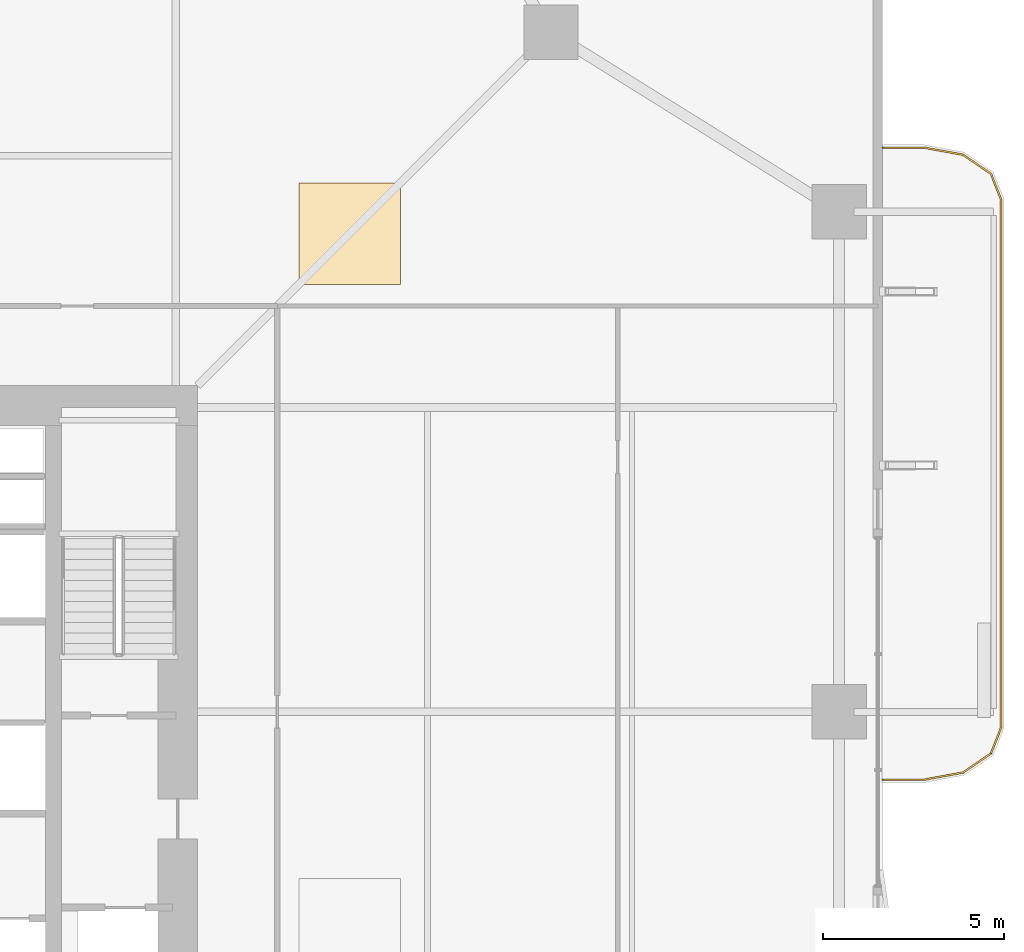
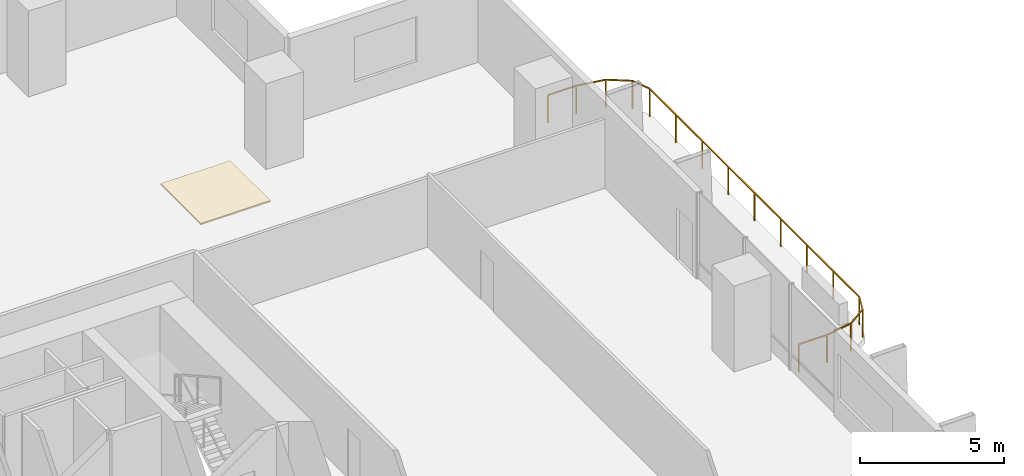
# One storey, part 24 of 24: 1 covering, 1 railing.
"""IFC4 building model written with IfcOpenShell, lengths in metres."""

from ifc_helpers import new_model, si_unit, direction, frame, origin, origin_2d, place, context, subcontext, project, spatial, polyline, rectangle, outline, extrude, material, layer, layer_set, type_object, element, save


model = new_model("IFC4")

# Units and contexts
model_context = context("Model", 3, precision=1e-05, world=origin(), true_north=direction((0.0, 1.0)))
body_context = subcontext(model_context, "Body", "Model", "MODEL_VIEW")
ifc_project = project(units=[si_unit("LENGTHUNIT", "METRE"), si_unit("AREAUNIT", "SQUARE_METRE"), si_unit("VOLUMEUNIT", "CUBIC_METRE"), si_unit("PLANEANGLEUNIT", "RADIAN"), si_unit("MASSUNIT", "GRAM", prefix="KILO")], contexts=[model_context])

# Site, building, storey
site_placement = place(None, origin())
site = spatial("IfcSite", under=ifc_project, at=site_placement, CompositionType="ELEMENT")
building_placement = place(site_placement, origin())
building = spatial("IfcBuilding", under=site, at=building_placement, Name="Belovzor Exchange Tower", CompositionType="ELEMENT")
storey_placement = place(building_placement, frame((0.0, 0.0, 80.699951171875)))
storey = spatial("IfcBuildingStorey", under=building, at=storey_placement, Name="L19", CompositionType="ELEMENT", Elevation=80.699951171875)

# Railing
ifc_material_1 = material(Name="Stainless Steel and Laminated Safety Glass", Category="steel")
railing_type = type_object("IfcRailingType", Name="Laminated Glass & Stainless Steel Balcony Balustrade 1200", PredefinedType="BALUSTRADE", material=ifc_material_1)
railing_placement = place(storey_placement, frame((56.7099609375, 26.929931640625, 0.0)))
element("IfcRailing", 1, at=railing_placement, inside=storey, type_object=railing_type, Name="GR-1 Balcony Balustrade L19 East", PredefinedType="BALUSTRADE", context=body_context, shape_type="SweptSolid", body=[
    extrude(rectangle(XDim=0.048095703125, YDim=0.048095703125, at=origin_2d()), frame((0.0, 0.0, 1.17578125), z_axis=(1.0, 0.0, 0.0), x_axis=(0.0, 1.0, 0.0)), (0.0, 0.0, 1.0), 1.133056640625),
    extrude(rectangle(XDim=0.048095703125, YDim=0.048095703125, at=origin_2d()), frame((1.133056640625, 0.0, 1.17578125), z_axis=(0.983644145941, 0.180122719713, 0.0), x_axis=(-0.180122719713, 0.983644145941, 0.0)), (0.0, 0.0, 1.0), 1.09375),
    extrude(rectangle(XDim=0.048095703125, YDim=0.048095703125, at=origin_2d()), frame((2.208984375, 0.197021484375, 1.17578125), z_axis=(0.826493025367, 0.56294695933, 0.0), x_axis=(-0.56294695933, 0.826493025367, 0.0)), (0.0, 0.0, 1.0), 0.932861328125),
    extrude(rectangle(XDim=0.048095703125, YDim=0.048095703125, at=origin_2d()), frame((2.97998046875, 0.72216796875, 1.17578125), z_axis=(0.365612923861, 0.930766990125, 0.0), x_axis=(-0.930766990125, 0.365612923861, 0.0)), (0.0, 0.0, 1.0), 0.765869140625),
    extrude(rectangle(XDim=0.048095703125, YDim=0.048095703125, at=origin_2d()), frame((3.260009765625, 1.43505859375, 1.17578125), z_axis=(0.0, 1.0, 0.0), x_axis=(-1.0, 0.0, 0.0)), (0.0, 0.0, 1.0), 14.570068359375),
    extrude(rectangle(XDim=0.048095703125, YDim=0.048095703125, at=origin_2d()), frame((3.260009765625, 16.005126953125, 1.17578125), z_axis=(-0.365612923861, 0.930766990125, 0.0), x_axis=(-0.930766990125, -0.365612923861, 0.0)), (0.0, 0.0, 1.0), 0.765869140625),
    extrude(rectangle(XDim=0.048095703125, YDim=0.048095703125, at=origin_2d()), frame((2.97998046875, 16.718017578125, 1.17578125), z_axis=(-0.826493025367, 0.56294695933, 0.0), x_axis=(-0.56294695933, -0.826493025367, 0.0)), (0.0, 0.0, 1.0), 0.932861328125),
    extrude(rectangle(XDim=0.048095703125, YDim=0.048095703125, at=origin_2d()), frame((2.208984375, 17.2431640625, 1.17578125), z_axis=(-0.983644145941, 0.180122719713, 0.0), x_axis=(-0.180122719713, -0.983644145941, 0.0)), (0.0, 0.0, 1.0), 1.09375),
    extrude(rectangle(XDim=0.048095703125, YDim=0.048095703125, at=origin_2d()), frame((1.133056640625, 17.440185546875, 1.17578125), z_axis=(-1.0, 0.0, 0.0), x_axis=(0.0, -1.0, 0.0)), (0.0, 0.0, 1.0), 1.133056640625),
    extrude(rectangle(XDim=0.0419921875, YDim=0.0419921875, at=origin_2d()), origin(), (0.0, 0.0, 1.0), 1.15185546875),
    extrude(rectangle(XDim=0.0419921875, YDim=0.0419921875, at=origin_2d()), frame((1.133056640625, 0.0, 0.0)), (0.0, 0.0, 1.0), 1.15185546875),
    extrude(rectangle(XDim=0.0419921875, YDim=0.0419921875, at=origin_2d()), frame((2.208984375, 0.197021484375, 0.0)), (0.0, 0.0, 1.0), 1.15185546875),
    extrude(rectangle(XDim=0.0419921875, YDim=0.0419921875, at=origin_2d()), frame((2.97998046875, 0.72216796875, 0.0)), (0.0, 0.0, 1.0), 1.15185546875),
    extrude(rectangle(XDim=0.0419921875, YDim=0.0419921875, at=origin_2d()), frame((3.260009765625, 1.43505859375, 0.0)), (0.0, 0.0, 1.0), 1.15185546875),
    extrude(rectangle(XDim=0.0419921875, YDim=0.0419921875, at=origin_2d()), frame((3.260009765625, 3.25634765625, 0.0)), (0.0, 0.0, 1.0), 1.15185546875),
    extrude(rectangle(XDim=0.0419921875, YDim=0.0419921875, at=origin_2d()), frame((3.260009765625, 5.07763671875, 0.0)), (0.0, 0.0, 1.0), 1.15185546875),
    extrude(rectangle(XDim=0.0419921875, YDim=0.0419921875, at=origin_2d()), frame((3.260009765625, 6.89892578125, 0.0)), (0.0, 0.0, 1.0), 1.15185546875),
    extrude(rectangle(XDim=0.0419921875, YDim=0.0419921875, at=origin_2d()), frame((3.260009765625, 8.72021484375, 0.0)), (0.0, 0.0, 1.0), 1.15185546875),
    extrude(rectangle(XDim=0.0419921875, YDim=0.0419921875, at=origin_2d()), frame((3.260009765625, 10.541259765625, 0.0)), (0.0, 0.0, 1.0), 1.15185546875),
    extrude(rectangle(XDim=0.0419921875, YDim=0.0419921875, at=origin_2d()), frame((3.260009765625, 12.362548828125, 0.0)), (0.0, 0.0, 1.0), 1.15185546875),
    extrude(rectangle(XDim=0.0419921875, YDim=0.0419921875, at=origin_2d()), frame((3.260009765625, 14.183837890625, 0.0)), (0.0, 0.0, 1.0), 1.15185546875),
    extrude(rectangle(XDim=0.0419921875, YDim=0.0419921875, at=origin_2d()), frame((3.260009765625, 16.005126953125, 0.0)), (0.0, 0.0, 1.0), 1.15185546875),
    extrude(rectangle(XDim=0.0419921875, YDim=0.0419921875, at=origin_2d()), frame((2.97998046875, 16.718017578125, 0.0)), (0.0, 0.0, 1.0), 1.15185546875),
    extrude(rectangle(XDim=0.0419921875, YDim=0.0419921875, at=origin_2d()), frame((2.208984375, 17.2431640625, 0.0)), (0.0, 0.0, 1.0), 1.15185546875),
    extrude(rectangle(XDim=0.0419921875, YDim=0.0419921875, at=origin_2d()), frame((1.133056640625, 17.440185546875, 0.0)), (0.0, 0.0, 1.0), 1.15185546875),
    extrude(rectangle(XDim=0.0419921875, YDim=0.0419921875, at=origin_2d()), frame((0.0, 17.440185546875, 0.0)), (0.0, 0.0, 1.0), 1.15185546875),
])

# Covering
ifc_material_2 = material(Name="Perforated Powder-Coated Aluminium", Category="aluminium")
ifc_layer = layer(ifc_material_2, 0.06005859375)
ifc_layer_set = layer_set([ifc_layer], Name="Perforated Powder-Coated Aluminium")
covering_type = type_object("IfcCoveringType", Name="Perforated Acoustic Metal Tile Suspended Ceiling 60", PredefinedType="CEILING", material=ifc_layer_set)
covering_placement = place(storey_placement, frame((0.0, 0.0, 3.590087890625)))
element("IfcCovering", 2, at=covering_placement, inside=storey, type_object=covering_type, Name="CLG-AC60 Suspended Ceiling CLG-L19-Z1", PredefinedType="CEILING", context=body_context, shape_type="SweptSolid", body=[
    extrude(outline(polyline([(40.60009765625, 40.60009765625), (43.39990234375, 40.60009765625), (43.39990234375, 43.39990234375), (40.60009765625, 43.39990234375), (40.60009765625, 40.60009765625)])), origin(), (0.0, 0.0, 1.0), 0.06005859375),
])

save(model, "model.ifc")
